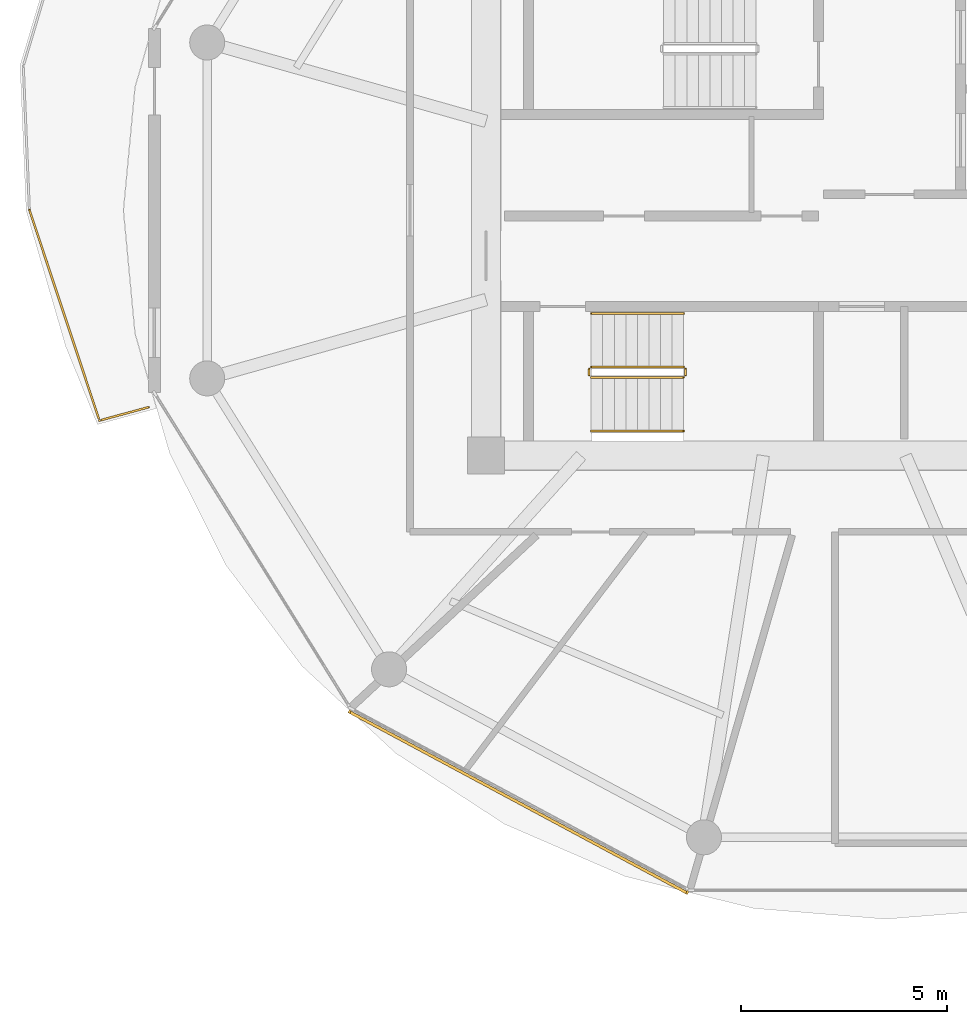
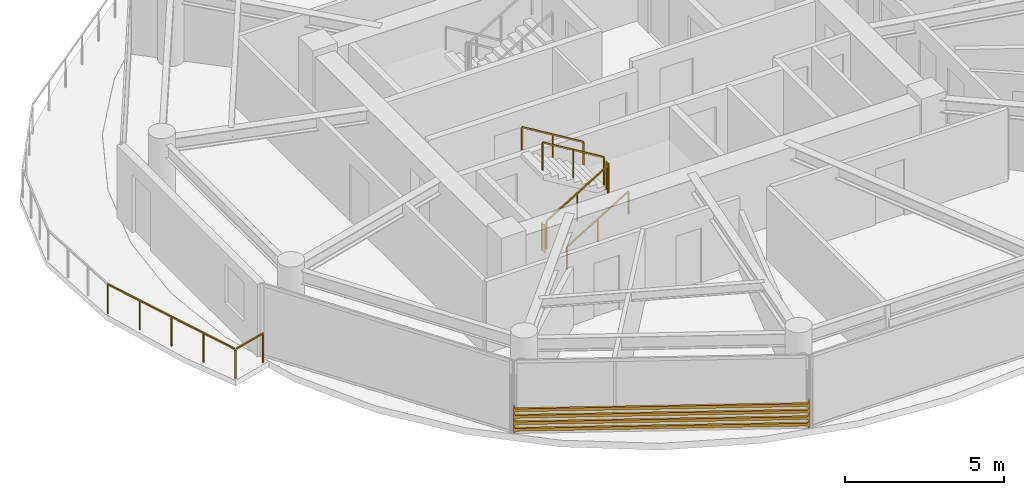
# One storey, part 19 of 24: 7 railings, 1 shading device.
"""IFC4 building model written with IfcOpenShell, lengths in metres."""

from ifc_helpers import new_model, si_unit, direction, frame, origin, origin_2d, place, context, subcontext, project, spatial, rectangle, extrude, source, transform, mapped, material, type_object, type_shapes, element, save


model = new_model("IFC4")

# Units and contexts
model_context = context("Model", 3, precision=1e-05, world=origin(), true_north=direction((0.0, 1.0)))
body_context = subcontext(model_context, "Body", "Model", "MODEL_VIEW")
ifc_project = project(units=[si_unit("LENGTHUNIT", "METRE"), si_unit("AREAUNIT", "SQUARE_METRE"), si_unit("VOLUMEUNIT", "CUBIC_METRE"), si_unit("PLANEANGLEUNIT", "RADIAN"), si_unit("MASSUNIT", "GRAM", prefix="KILO")], contexts=[model_context])

# Site, building, storey
site_placement = place(None, origin())
site = spatial("IfcSite", under=ifc_project, at=site_placement, CompositionType="ELEMENT")
building_placement = place(site_placement, origin())
building = spatial("IfcBuilding", under=site, at=building_placement, Name="Norrkilde Senior Care Towers", CompositionType="ELEMENT")
storey_placement = place(building_placement, frame((0.0, 0.0, 90.14990234375)))
storey = spatial("IfcBuildingStorey", under=building, at=storey_placement, Name="L27", CompositionType="ELEMENT", Elevation=90.14990234375)

# Railings
ifc_material_1 = material(Name="Anodised Aluminium", Category="aluminium")
railing_type_1 = type_object("IfcRailingType", Name="Balcony Swirl Ribbon Guardrail 1150", PredefinedType="GUARDRAIL", material=ifc_material_1)
railing_1_placement = place(storey_placement, frame((-43.8408203125, -4.77490234375, 0.0)))
element("IfcRailing", 1, at=railing_1_placement, inside=storey, type_object=railing_type_1, Name="L27 Perimeter Safety Guard 04", PredefinedType="GUARDRAIL", context=body_context, shape_type="SweptSolid", body=[
    extrude(rectangle(XDim=0.048095703125, YDim=0.048095703125, at=origin_2d()), frame((0.0, 0.0, 1.1259765625), z_axis=(-0.965032069924, -0.262131844725, 0.0), x_axis=(0.262131844725, -0.965032069924, 0.0)), (0.0, 0.0, 1.0), 1.196044921875),
    extrude(rectangle(XDim=0.048095703125, YDim=0.048095703125, at=origin_2d()), frame((-1.20654296875, -0.285400390625, 1.1259765625), z_axis=(-0.31562952516, 0.948882502129, 0.0), x_axis=(-0.948882502129, -0.31562952516, 0.0)), (0.0, 0.0, 1.0), 5.3466796875),
    extrude(rectangle(XDim=0.0419921875, YDim=0.0419921875, at=origin_2d()), origin(), (0.0, 0.0, 1.0), 1.099853515625),
    extrude(rectangle(XDim=0.0419921875, YDim=0.0419921875, at=origin_2d()), frame((-1.193603515625, -0.32421875, 0.0)), (0.0, 0.0, 1.0), 1.099853515625),
    extrude(rectangle(XDim=0.0419921875, YDim=0.0419921875, at=origin_2d()), frame((-1.61865234375, 0.953857421875, 0.0)), (0.0, 0.0, 1.0), 1.099853515625),
    extrude(rectangle(XDim=0.0419921875, YDim=0.0419921875, at=origin_2d()), frame((-2.0439453125, 2.23193359375, 0.0)), (0.0, 0.0, 1.0), 1.099853515625),
    extrude(rectangle(XDim=0.0419921875, YDim=0.0419921875, at=origin_2d()), frame((-2.468994140625, 3.509765625, 0.0)), (0.0, 0.0, 1.0), 1.099853515625),
    extrude(rectangle(XDim=0.0419921875, YDim=0.0419921875, at=origin_2d()), frame((-2.89404296875, 4.787841796875, 0.0)), (0.0, 0.0, 1.0), 1.099853515625),
])
ifc_material_2 = material(Name="Stainless Steel", Category="steel")
railing_type_2 = type_object("IfcRailingType", Name="Stair and Terrace Guardrail 1100", PredefinedType="GUARDRAIL", material=ifc_material_2)
railing_2_placement = place(storey_placement, frame((-33.10009765625, -4.050048828125, 0.16943359375)))
element("IfcRailing", 2, at=railing_2_placement, inside=storey, type_object=railing_type_2, Name="L27 ST-W2 stair guard 1", PredefinedType="GUARDRAIL", context=body_context, shape_type="SweptSolid", body=[
    extrude(rectangle(XDim=0.048095703125, YDim=0.048095703125, at=origin_2d()), frame((0.0, 0.0, 1.076171875), z_axis=(0.855512035549, 0.0, 0.517782924622), x_axis=(0.0, 1.0, 0.0)), (0.0, 0.0, 1.0), 2.618408203125),
    extrude(rectangle(XDim=0.0419921875, YDim=0.0419921875, at=origin_2d()), origin(), (0.0, 0.0, 1.0), 1.050048828125),
    extrude(rectangle(XDim=0.0419921875, YDim=0.0419921875, at=origin_2d()), frame((1.1201171875, 0.0, 0.677734375)), (0.0, 0.0, 1.0), 1.050048828125),
    extrude(rectangle(XDim=0.0419921875, YDim=0.0419921875, at=origin_2d()), frame((2.239990234375, 0.0, 1.355712890625)), (0.0, 0.0, 1.0), 1.050048828125),
])
railing_3_placement = place(storey_placement, frame((-30.81005859375, -4.0, 1.525146484375)))
element("IfcRailing", 3, at=railing_3_placement, inside=storey, type_object=railing_type_2, Name="L27 ST-W2 stair guard 2", PredefinedType="GUARDRAIL", context=body_context, shape_type="SweptSolid", body=[
    extrude(rectangle(XDim=0.048095703125, YDim=0.048095703125, at=origin_2d()), frame((0.0, 0.0, 1.076171875), z_axis=(0.0, 1.0, 0.0), x_axis=(-1.0, 0.0, 0.0)), (0.0, 0.0, 1.0), 0.14990234375),
    extrude(rectangle(XDim=0.0419921875, YDim=0.0419921875, at=origin_2d()), origin(), (0.0, 0.0, 1.0), 1.050048828125),
    extrude(rectangle(XDim=0.0419921875, YDim=0.0419921875, at=origin_2d()), frame((0.0, 0.14990234375, 0.0)), (0.0, 0.0, 1.0), 1.050048828125),
])
railing_4_placement = place(storey_placement, frame((-30.860107421875, -3.800048828125, 1.694580078125)))
element("IfcRailing", 4, at=railing_4_placement, inside=storey, type_object=railing_type_2, Name="L27 ST-W2 stair guard 3", PredefinedType="GUARDRAIL", context=body_context, shape_type="SweptSolid", body=[
    extrude(rectangle(XDim=0.048095703125, YDim=0.048095703125, at=origin_2d()), frame((0.0, 0.0, 1.076171875), z_axis=(-0.855553338991, 0.0, 0.51771467445), x_axis=(0.0, -1.0, 0.0)), (0.0, 0.0, 1.0), 2.6181640625),
    extrude(rectangle(XDim=0.0419921875, YDim=0.0419921875, at=origin_2d()), origin(), (0.0, 0.0, 1.0), 1.050048828125),
    extrude(rectangle(XDim=0.0419921875, YDim=0.0419921875, at=origin_2d()), frame((-1.1201171875, 0.0, 0.677734375)), (0.0, 0.0, 1.0), 1.050048828125),
    extrude(rectangle(XDim=0.0419921875, YDim=0.0419921875, at=origin_2d()), frame((-2.239990234375, 0.0, 1.35546875)), (0.0, 0.0, 1.0), 1.050048828125),
])
railing_5_placement = place(storey_placement, frame((-33.14990234375, -4.0, 0.0)))
element("IfcRailing", 5, at=railing_5_placement, inside=storey, type_object=railing_type_2, Name="L27 ST-W2 stair guard 4", PredefinedType="GUARDRAIL", context=body_context, shape_type="SweptSolid", body=[
    extrude(rectangle(XDim=0.048095703125, YDim=0.048095703125, at=origin_2d()), frame((0.0, 0.0, 1.076171875), z_axis=(0.0, 1.0, 0.0), x_axis=(-1.0, 0.0, 0.0)), (0.0, 0.0, 1.0), 0.14990234375),
    extrude(rectangle(XDim=0.0419921875, YDim=0.0419921875, at=origin_2d()), origin(), (0.0, 0.0, 1.0), 1.050048828125),
    extrude(rectangle(XDim=0.0419921875, YDim=0.0419921875, at=origin_2d()), frame((0.0, 0.14990234375, 0.0)), (0.0, 0.0, 1.0), 1.050048828125),
])
ifc_material_3 = material(Name="Nordic Ash Timber", Category="wood")
railing_type_3 = type_object("IfcRailingType", Name="Wall and Stair Handrail 900", PredefinedType="HANDRAIL", material=ifc_material_3)
railing_6_placement = place(storey_placement, frame((-33.10009765625, -5.35009765625, 0.16943359375)))
element("IfcRailing", 6, at=railing_6_placement, inside=storey, type_object=railing_type_3, Name="L27 ST-W2 stair handrail 1", PredefinedType="HANDRAIL", context=body_context, shape_type="SweptSolid", body=[
    extrude(rectangle(XDim=0.048095703125, YDim=0.048095703125, at=origin_2d()), frame((0.0, 0.0, 0.8759765625), z_axis=(0.855512035549, 0.0, 0.517782924622), x_axis=(0.0, 1.0, 0.0)), (0.0, 0.0, 1.0), 2.618408203125),
    extrude(rectangle(XDim=0.0419921875, YDim=0.0419921875, at=origin_2d()), origin(), (0.0, 0.0, 1.0), 0.849853515625),
    extrude(rectangle(XDim=0.0419921875, YDim=0.0419921875, at=origin_2d()), frame((1.1201171875, 0.0, 0.677734375)), (0.0, 0.0, 1.0), 0.849853515625),
    extrude(rectangle(XDim=0.0419921875, YDim=0.0419921875, at=origin_2d()), frame((2.239990234375, 0.0, 1.355712890625)), (0.0, 0.0, 1.0), 0.849853515625),
])
railing_7_placement = place(storey_placement, frame((-30.860107421875, -2.5, 1.694580078125)))
element("IfcRailing", 7, at=railing_7_placement, inside=storey, type_object=railing_type_3, Name="L27 ST-W2 stair handrail 2", PredefinedType="HANDRAIL", context=body_context, shape_type="SweptSolid", body=[
    extrude(rectangle(XDim=0.048095703125, YDim=0.048095703125, at=origin_2d()), frame((0.0, 0.0, 0.8759765625), z_axis=(-0.855553338991, 0.0, 0.51771467445), x_axis=(0.0, -1.0, 0.0)), (0.0, 0.0, 1.0), 2.6181640625),
    extrude(rectangle(XDim=0.0419921875, YDim=0.0419921875, at=origin_2d()), origin(), (0.0, 0.0, 1.0), 0.849853515625),
    extrude(rectangle(XDim=0.0419921875, YDim=0.0419921875, at=origin_2d()), frame((-1.1201171875, 0.0, 0.677734375)), (0.0, 0.0, 1.0), 0.849853515625),
    extrude(rectangle(XDim=0.0419921875, YDim=0.0419921875, at=origin_2d()), frame((-2.239990234375, 0.0, 1.35546875)), (0.0, 0.0, 1.0), 0.849853515625),
])

# Shading device
ifc_material_4 = material(Name="Architectural Terracotta", Category="masonry")
shading_device_type = type_object("IfcShadingDeviceType", Name="Horizontal Terracotta Baguette Rack", PredefinedType="USERDEFINED", material=ifc_material_4)
shared_shape = source(origin(), body_context, "Body", "SweptSolid", [
    extrude(rectangle(XDim=0.070068359375, YDim=0.110107421875, at=origin_2d()), frame((0.0, 0.090087890625, 0.125), z_axis=(1.0, 0.0, 0.0), x_axis=(0.0, 1.0, 0.0)), (0.0, 0.0, 1.0), 9.3505859375),
    extrude(rectangle(XDim=0.070068359375, YDim=0.110107421875, at=origin_2d()), frame((0.0, 0.090087890625, 0.375), z_axis=(1.0, 0.0, 0.0), x_axis=(0.0, 1.0, 0.0)), (0.0, 0.0, 1.0), 9.3505859375),
    extrude(rectangle(XDim=0.070068359375, YDim=0.110107421875, at=origin_2d()), frame((0.0, 0.090087890625, 0.625), z_axis=(1.0, 0.0, 0.0), x_axis=(0.0, 1.0, 0.0)), (0.0, 0.0, 1.0), 9.3505859375),
    extrude(rectangle(XDim=0.070068359375, YDim=0.110107421875, at=origin_2d()), frame((0.0, 0.090087890625, 0.875), z_axis=(1.0, 0.0, 0.0), x_axis=(0.0, 1.0, 0.0)), (0.0, 0.0, 1.0), 9.3505859375),
    extrude(rectangle(XDim=0.050048828125, YDim=0.1552734375, at=origin_2d()), frame((0.02490234375, 0.047607421875, 0.0)), (0.0, 0.0, 1.0), 1.0),
    extrude(rectangle(XDim=0.050048828125, YDim=0.1552734375, at=origin_2d()), frame((9.32568359375, 0.047607421875, 0.0)), (0.0, 0.0, 1.0), 1.0),
])
type_shapes(shading_device_type, [shared_shape])
shading_device_placement = place(storey_placement, frame((-30.70703125, -16.498046875, 0.080078125), z_axis=(0.0, 0.0, 1.0), x_axis=(-0.881174934726, 0.472767624021, 0.0)))
element("IfcShadingDevice", 8, at=shading_device_placement, inside=storey, type_object=shading_device_type, Name="L27 Drum W Terracotta Baguette Screen 07", ObjectType="BAGUETTE", PredefinedType="USERDEFINED", context=body_context, shape_type="MappedRepresentation", body=[
    mapped(shared_shape, transform((0.0, 0.0, 0.0), x_axis=(1.0, 0.0, 0.0), y_axis=(0.0, 1.0, 0.0), z_axis=(0.0, 0.0, 1.0), scale=1.0)),
])

save(model, "model.ifc")
